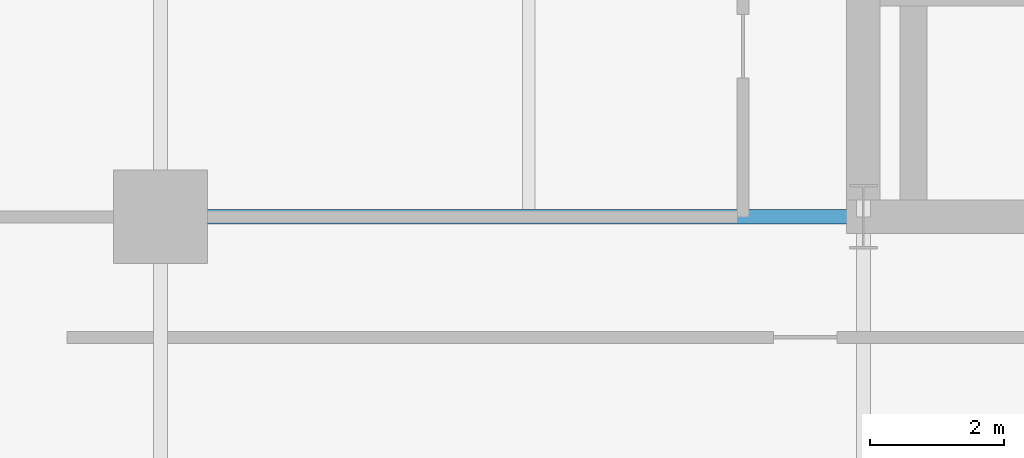
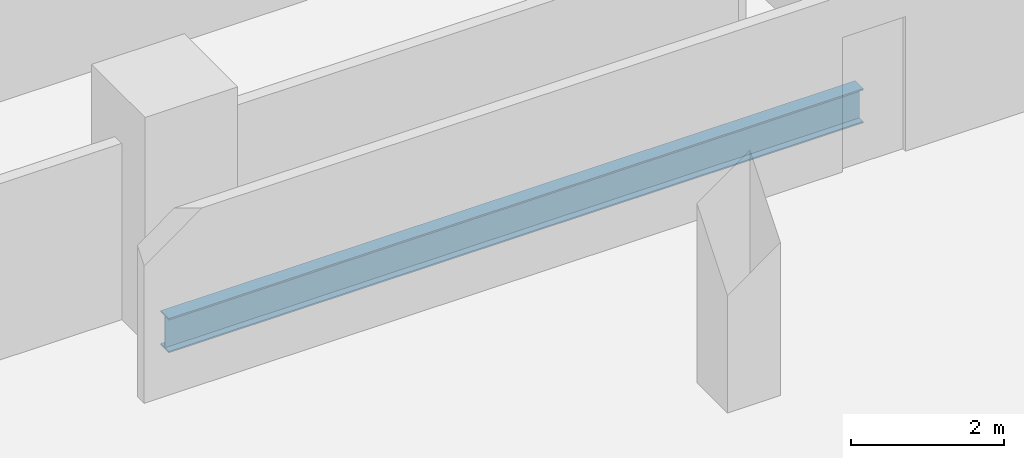
# One storey, part 5 of 21: 1 beam.
"""IFC4 building model written with IfcOpenShell, lengths in metres."""

from ifc_helpers import new_model, si_unit, direction, frame, origin, origin_2d, place, context, subcontext, project, spatial, i_section, extrude, material, material_profile, profile_set, type_object, element, save


model = new_model("IFC4")

# Units and contexts
model_context = context("Model", 3, precision=1e-05, world=origin(), true_north=direction((0.0, 1.0)))
body_context = subcontext(model_context, "Body", "Model", "MODEL_VIEW")
ifc_project = project(units=[si_unit("LENGTHUNIT", "METRE"), si_unit("AREAUNIT", "SQUARE_METRE"), si_unit("VOLUMEUNIT", "CUBIC_METRE"), si_unit("PLANEANGLEUNIT", "RADIAN"), si_unit("MASSUNIT", "GRAM", prefix="KILO")], contexts=[model_context])

# Site, building, storey
site_placement = place(None, origin())
site = spatial("IfcSite", under=ifc_project, at=site_placement, CompositionType="ELEMENT")
building_placement = place(site_placement, origin())
building = spatial("IfcBuilding", under=site, at=building_placement, Name="Barlavira Tower and Art Museum", CompositionType="ELEMENT")
storey_placement = place(building_placement, frame((0.0, 0.0, 79.199951171875)))
storey = spatial("IfcBuildingStorey", under=building, at=storey_placement, Name="L19", CompositionType="ELEMENT", Elevation=79.199951171875)

# Beam
ifc_material = material(Name="Steel S355", Category="steel")
ifc_material_profile = material_profile(ifc_material, i_section(OverallWidth=0.214111328125, OverallDepth=0.549072265625, WebThickness=0.0146484375, FlangeThickness=0.023681640625, at=origin_2d()), Name="W530x138.0")
ifc_profile_set = profile_set([ifc_material_profile], Name="Steel S355")
beam_type = type_object("IfcBeamType", Name="Zone 1 Primary Floor Girder W530x138 Steel S355", PredefinedType="BEAM", material=ifc_profile_set)
beam_placement = place(storey_placement, frame((-17.0, -7.5, -0.494384765625), z_axis=(1.0, 0.0, 0.0), x_axis=(0.0, 1.0, 0.0)))
element("IfcBeam", 1, at=beam_placement, inside=storey, type_object=beam_type, Name="L19 Girder R-W1", PredefinedType="BEAM", context=body_context, shape_type="SweptSolid", body=[
    extrude(i_section(OverallWidth=0.214111328125, OverallDepth=0.549072265625, WebThickness=0.0146484375, FlangeThickness=0.023681640625, at=origin_2d()), origin(), (0.0, 0.0, 1.0), 10.5),
])

save(model, "model.ifc")
